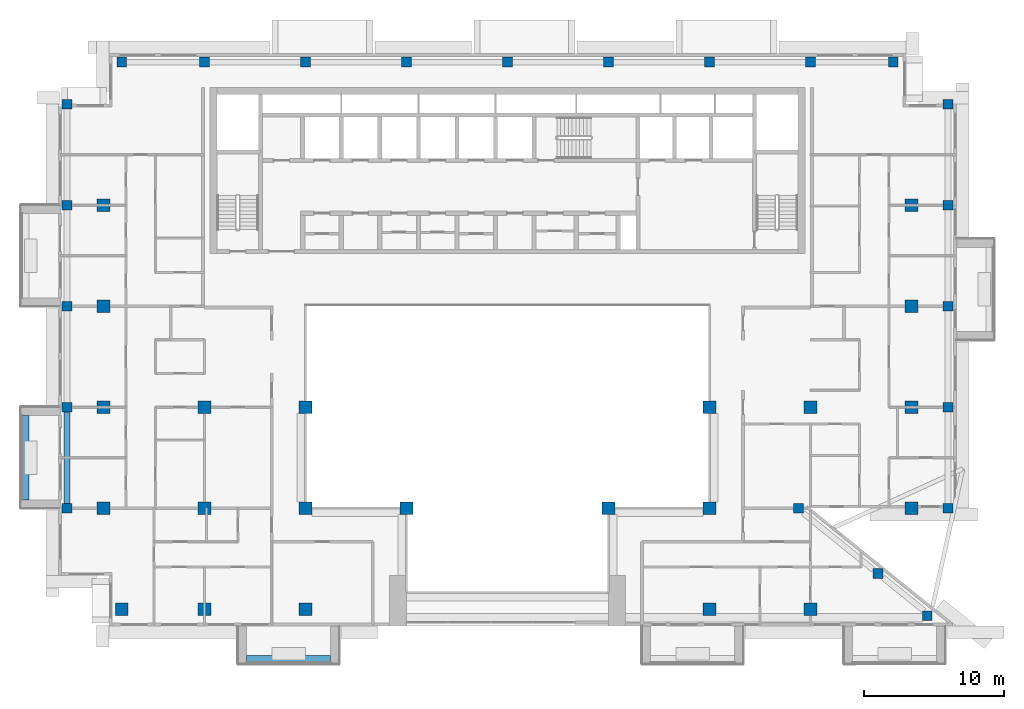
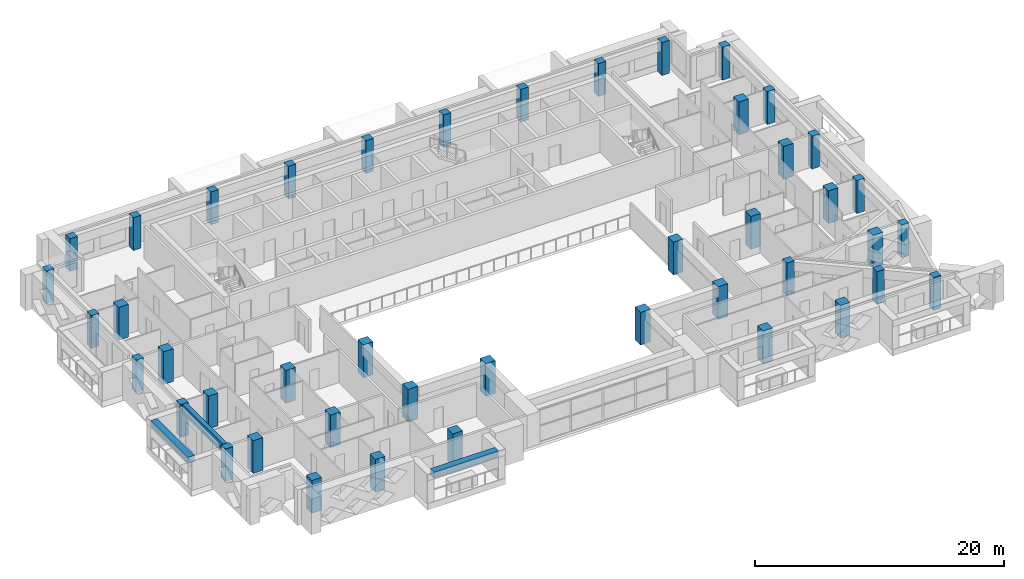
# One storey, part 1 of 19: 44 columns, 3 beams.
"""IFC4 building model written with IfcOpenShell, lengths in metres."""

from ifc_helpers import new_model, si_unit, direction, frame, origin, origin_2d, place, context, subcontext, project, spatial, rectangle, extrude, source, transform, mapped, material, material_profile, profile_set, type_object, element, save


model = new_model("IFC4")

# Units and contexts
model_context = context("Model", 3, precision=1e-05, world=origin(), true_north=direction((0.0, 1.0)))
body_context = subcontext(model_context, "Body", "Model", "MODEL_VIEW")
ifc_project = project(units=[si_unit("LENGTHUNIT", "METRE"), si_unit("AREAUNIT", "SQUARE_METRE"), si_unit("VOLUMEUNIT", "CUBIC_METRE"), si_unit("PLANEANGLEUNIT", "RADIAN"), si_unit("MASSUNIT", "GRAM", prefix="KILO")], contexts=[model_context])

# Site, building, storey
site_placement = place(None, origin())
site = spatial("IfcSite", under=ifc_project, at=site_placement, CompositionType="ELEMENT")
building_placement = place(site_placement, origin())
building = spatial("IfcBuilding", under=site, at=building_placement, Name="Saffron Iwan Residences", CompositionType="ELEMENT")
storey_placement = place(building_placement, frame((0.0, 0.0, 225.5)))
storey = spatial("IfcBuildingStorey", under=building, at=storey_placement, Name="L60", CompositionType="ELEMENT", Elevation=225.5)

# Columns
ifc_material_1 = material(Name="Concrete C40/50", Category="concrete")
ifc_material_profile_1 = material_profile(ifc_material_1, rectangle(XDim=0.89990234375, YDim=0.89990234375, at=origin_2d()), Name="RC 900x900")
ifc_profile_set_1 = profile_set([ifc_material_profile_1], Name="Concrete C40/50")
column_type_1 = type_object("IfcColumnType", Name="COL RC 900x900 C40/50 3220 HIGH", PredefinedType="COLUMN", material=ifc_profile_set_1)
shared_shape_1 = source(origin(), body_context, "Body", "SweptSolid", [
    extrude(rectangle(XDim=0.89990234375, YDim=0.89990234375, at=origin_2d()), origin(), (0.0, 0.0, 1.0), 3.219970703125),
])
for number, where, z_axis, x_axis, name in (
    (1, (22.89990234375, 40.800048828125, 0.0), (0.0, 0.0, 1.0), (1.0, 0.0, 0.0), "Column C050"),
    (2, (28.800048828125, 40.800048828125, 0.0), (0.0, 0.0, 1.0), (1.0, 0.0, 0.0), "Column C051"),
    (3, (36.0, 40.800048828125, 0.0), (0.0, 0.0, 1.0), (1.0, 0.0, 0.0), "Column C052"),
    (4, (64.800048828125, 40.800048828125, 0.0), (0.0, 0.0, 1.0), (1.0, 0.0, 0.0), "Column C055"),
    (5, (72.0, 40.800048828125, 0.0), (0.0, 0.0, 1.0), (1.0, 0.0, 0.0), "Column C056"),
    (6, (21.60009765625, 48.0, 0.0), (0.0, 0.0, 1.0), (1.0, 0.0, 0.0), "Column C063"),
    (7, (28.800048828125, 48.0, 0.0), (0.0, 0.0, 1.0), (1.0, 0.0, 0.0), "Column C064"),
    (8, (36.0, 48.0, 0.0), (0.0, 0.0, 1.0), (1.0, 0.0, 0.0), "Column C065"),
    (9, (43.199951171875, 48.0, 0.0), (0.0, 0.0, 1.0), (1.0, 0.0, 0.0), "Column C066"),
    (10, (57.60009765625, 48.0, 0.0), (0.0, 0.0, 1.0), (1.0, 0.0, 0.0), "Column C068"),
    (11, (64.800048828125, 48.0, 0.0), (0.0, 0.0, 1.0), (1.0, 0.0, 0.0), "Column C069"),
    (12, (79.199951171875, 48.0, 0.0), (0.0, 0.0, 1.0), (1.0, 0.0, 0.0), "Column C072"),
    (13, (21.60009765625, 55.199951171875, 0.0), (0.0, 0.0, 1.0), (1.0, 0.0, 0.0), "Column C079"),
    (14, (28.800048828125, 55.199951171875, 0.0), (0.0, 0.0, 1.0), (1.0, 0.0, 0.0), "Column C080"),
    (15, (36.0, 55.199951171875, 0.0), (0.0, 0.0, 1.0), (1.0, 0.0, 0.0), "Column C081"),
    (16, (64.800048828125, 55.199951171875, 0.0), (0.0, 0.0, 1.0), (1.0, 0.0, 0.0), "Column C082"),
    (17, (72.0, 55.199951171875, 0.0), (0.0, 0.0, 1.0), (1.0, 0.0, 0.0), "Column C083"),
    (18, (79.199951171875, 55.199951171875, 0.0), (0.0, 0.0, 1.0), (1.0, 0.0, 0.0), "Column C084"),
    (19, (21.60009765625, 62.39990234375, 0.0), (0.0, 0.0, 1.0), (1.0, 0.0, 0.0), "Column C091"),
    (20, (79.199951171875, 62.39990234375, 0.0), (0.0, 0.0, 1.0), (1.0, 0.0, 0.0), "Column C092"),
    (21, (21.60009765625, 69.60009765625, 0.0), (0.0, 0.0, 1.0), (1.0, 0.0, 0.0), "Column C099"),
    (22, (79.199951171875, 69.60009765625, 0.0), (0.0, 0.0, 1.0), (1.0, 0.0, 0.0), "Column C100"),
):
    element("IfcColumn", number, at=place(storey_placement, frame(where, z_axis=z_axis, x_axis=x_axis)), inside=storey, type_object=column_type_1, Name=name, PredefinedType="COLUMN", context=body_context, shape_type="MappedRepresentation", body=[
        mapped(shared_shape_1, transform((0.0, 0.0, 0.0))),
    ])
ifc_material_profile_2 = material_profile(ifc_material_1, rectangle(XDim=0.699951171875, YDim=0.699951171875, at=origin_2d()), Name="RC 700x700")
ifc_profile_set_2 = profile_set([ifc_material_profile_2], Name="Concrete C40/50")
column_type_2 = type_object("IfcColumnType", Name="COL RC 700x700 C40/50 3220 HIGH", PredefinedType="COLUMN", material=ifc_profile_set_2)
shared_shape_2 = source(origin(), body_context, "Body", "SweptSolid", [
    extrude(rectangle(XDim=0.699951171875, YDim=0.699951171875, at=origin_2d()), origin(), (0.0, 0.0, 1.0), 3.219970703125),
])
for number, where, z_axis, x_axis, name in (
    (23, (80.32568359375, 40.3330078125, 0.0), (0.0, 0.0, 1.0), (1.0, 0.0, 0.0), "Column C046"),
    (24, (76.822998046875, 43.333251953125, 0.0), (0.0, 0.0, 1.0), (1.0, 0.0, 0.0), "Column C057"),
    (25, (19.0, 48.0, 0.0), (0.0, 0.0, 1.0), (1.0, 0.0, 0.0), "Column C062"),
    (26, (71.14990234375, 48.0, 0.0), (0.0, 0.0, 1.0), (1.0, 0.0, 0.0), "Column C070"),
    (27, (81.800048828125, 48.0, 0.0), (0.0, 0.0, 1.0), (1.0, 0.0, 0.0), "Column C073"),
    (28, (19.0, 55.199951171875, 0.0), (0.0, 0.0, 1.0), (1.0, 0.0, 0.0), "Column C078"),
    (29, (81.800048828125, 55.199951171875, 0.0), (0.0, 0.0, 1.0), (1.0, 0.0, 0.0), "Column C085"),
    (30, (19.0, 62.39990234375, 0.0), (0.0, 0.0, 1.0), (1.0, 0.0, 0.0), "Column C090"),
    (31, (81.800048828125, 62.39990234375, 0.0), (0.0, 0.0, 1.0), (1.0, 0.0, 0.0), "Column C093"),
    (32, (19.0, 69.60009765625, 0.0), (0.0, 0.0, 1.0), (1.0, 0.0, 0.0), "Column C098"),
    (33, (81.800048828125, 69.60009765625, 0.0), (0.0, 0.0, 1.0), (1.0, 0.0, 0.0), "Column C101"),
    (34, (19.0, 76.800048828125, 0.0), (0.0, 0.0, 1.0), (1.0, 0.0, 0.0), "Column C106"),
    (35, (81.800048828125, 76.800048828125, 0.0), (0.0, 0.0, 1.0), (1.0, 0.0, 0.0), "Column C109"),
    (36, (22.89990234375, 79.800048828125, 0.0), (0.0, 0.0, 1.0), (1.0, 0.0, 0.0), "Column C114"),
    (37, (28.800048828125, 79.800048828125, 0.0), (0.0, 0.0, 1.0), (1.0, 0.0, 0.0), "Column C115"),
    (38, (36.0, 79.800048828125, 0.0), (0.0, 0.0, 1.0), (1.0, 0.0, 0.0), "Column C116"),
    (39, (43.199951171875, 79.800048828125, 0.0), (0.0, 0.0, 1.0), (1.0, 0.0, 0.0), "Column C117"),
    (40, (50.39990234375, 79.800048828125, 0.0), (0.0, 0.0, 1.0), (1.0, 0.0, 0.0), "Column C118"),
    (41, (57.60009765625, 79.800048828125, 0.0), (0.0, 0.0, 1.0), (1.0, 0.0, 0.0), "Column C119"),
    (42, (64.800048828125, 79.800048828125, 0.0), (0.0, 0.0, 1.0), (1.0, 0.0, 0.0), "Column C120"),
    (43, (72.0, 79.800048828125, 0.0), (0.0, 0.0, 1.0), (1.0, 0.0, 0.0), "Column C121"),
    (44, (77.89990234375, 79.800048828125, 0.0), (0.0, 0.0, 1.0), (1.0, 0.0, 0.0), "Column C122"),
):
    element("IfcColumn", number, at=place(storey_placement, frame(where, z_axis=z_axis, x_axis=x_axis)), inside=storey, type_object=column_type_2, Name=name, PredefinedType="COLUMN", context=body_context, shape_type="MappedRepresentation", body=[
        mapped(shared_shape_2, transform((0.0, 0.0, 0.0))),
    ])

# Beams
ifc_material_profile_3 = material_profile(ifc_material_1, rectangle(XDim=0.39990234375, YDim=0.89990234375, at=origin_2d()), Name="RC 400x900")
ifc_profile_set_3 = profile_set([ifc_material_profile_3], Name="Concrete C40/50")
beam_type_1 = type_object("IfcBeamType", Name="SPANDREL BEAM RC 400x900 C40/50 TOP 3220", PredefinedType="SPANDREL", material=ifc_profile_set_3)
shared_shape_3 = source(origin(), body_context, "Body", "SweptSolid", [
    extrude(rectangle(XDim=0.39990234375, YDim=0.89990234375, at=origin_2d()), origin(), (0.0, 0.0, 1.0), 6.5),
])
beam_placement = place(storey_placement, frame((19.0, 48.35009765625, 2.77001953125), z_axis=(0.0, 1.0, 0.0), x_axis=(-1.0, 0.0, 0.0)))
element("IfcBeam", 45, at=beam_placement, inside=storey, type_object=beam_type_1, Name="Spandrel beam", PredefinedType="SPANDREL", context=body_context, shape_type="MappedRepresentation", body=[
    mapped(shared_shape_3, transform((0.0, 0.0, 0.0))),
])
ifc_material_2 = material(Name="Concrete C50/60 white painted", Category="concrete")
ifc_material_profile_4 = material_profile(ifc_material_2, rectangle(XDim=0.60009765625, YDim=0.60009765625, at=origin_2d()), Name="BALCONY FASCIA BEAM 600 x 600")
ifc_profile_set_4 = profile_set([ifc_material_profile_4], Name="Concrete C50/60 white painted")
beam_type_2 = type_object("IfcBeamType", Name="BALCONY FASCIA BEAM 600 x 600", PredefinedType="BEAM", material=ifc_profile_set_4)
shared_shape_4 = source(origin(), body_context, "Body", "SweptSolid", [
    extrude(rectangle(XDim=0.60009765625, YDim=0.60009765625, at=origin_2d()), origin(), (0.0, 0.0, 1.0), 6.0),
])
for number, where, z_axis, x_axis, name in (
    (46, (16.0, 54.60009765625, 2.550048828125), (0.0, -1.0, 0.0), (1.0, 0.0, 0.0), "Balcony fascia beam L60 F8-1"),
    (47, (31.800048828125, 37.199951171875, 2.550048828125), (1.0, 0.0, 0.0), (0.0, 1.0, 0.0), "Balcony fascia beam L60 11-0"),
):
    element("IfcBeam", number, at=place(storey_placement, frame(where, z_axis=z_axis, x_axis=x_axis)), inside=storey, type_object=beam_type_2, Name=name, PredefinedType="BEAM", context=body_context, shape_type="MappedRepresentation", body=[
        mapped(shared_shape_4, transform((0.0, 0.0, 0.0))),
    ])

save(model, "model.ifc")
